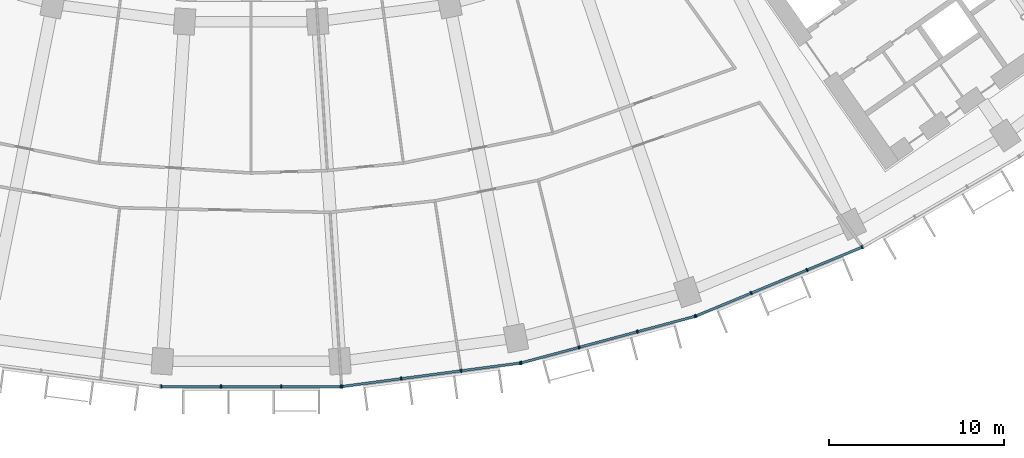
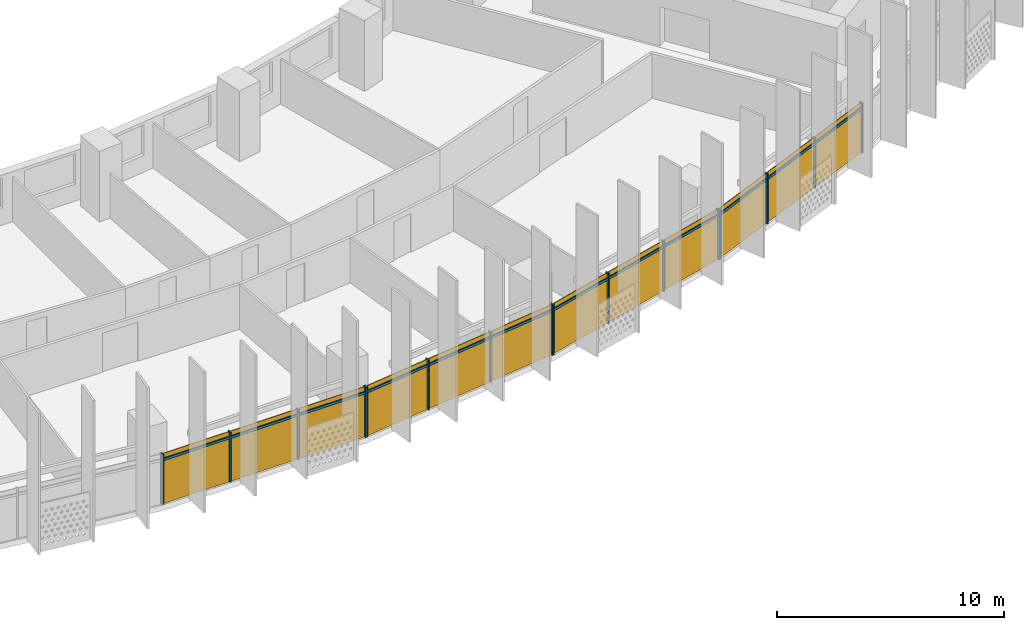
# One storey, part 21 of 30: 28 members, 4 curtain walls.
"""IFC4 building model written with IfcOpenShell, lengths in metres."""

from ifc_helpers import new_model, si_unit, direction, frame, origin, origin_2d, place, context, subcontext, project, spatial, rectangle, extrude, material, material_profile, profile_set, type_object, element, aggregate, save


model = new_model("IFC4")

# Units and contexts
model_context = context("Model", 3, precision=1e-05, world=origin(), true_north=direction((0.0, 1.0)))
body_context = subcontext(model_context, "Body", "Model", "MODEL_VIEW")
ifc_project = project(units=[si_unit("LENGTHUNIT", "METRE"), si_unit("AREAUNIT", "SQUARE_METRE"), si_unit("VOLUMEUNIT", "CUBIC_METRE"), si_unit("PLANEANGLEUNIT", "RADIAN"), si_unit("MASSUNIT", "GRAM", prefix="KILO")], contexts=[model_context])

# Member
ifc_material = material(Name="Aluminium 6063-T6 anodised", Category="aluminium")
ifc_material_profile_1 = material_profile(ifc_material, rectangle(XDim=0.199951171875, YDim=0.070068359375, at=origin_2d()))
ifc_profile_set_1 = profile_set([ifc_material_profile_1], Name="Aluminium 6063-T6 anodised")
member_type_1 = type_object("IfcMemberType", Name="Mullion 70 x 200 aluminium", PredefinedType="MULLION", material=ifc_profile_set_1)
site_placement = place(None, origin())
building_placement = place(site_placement, origin())
storey_placement = place(building_placement, frame((0.0, 0.0, 117.699951171875)))
member_1_placement = place(storey_placement, frame((-5.1513671875, -79.0302734375, 0.0), z_axis=(0.0, 0.0, 1.0), x_axis=(0.0, 1.0, 0.0)))
member_1 = element("IfcMember", 1, at=member_1_placement, type_object=member_type_1, Name="e-cw1-L26-out09/M00", PredefinedType="MULLION", context=body_context, shape_type="SweptSolid", body=[
    extrude(rectangle(XDim=0.199951171875, YDim=0.070068359375, at=origin_2d()), origin(), (0.0, 0.0, 1.0), 2.699951171875),
])

member_2_placement = place(storey_placement, frame((-1.728759765625, -79.0302734375, 0.0), z_axis=(0.0, 0.0, 1.0), x_axis=(0.0, 1.0, 0.0)))
member_2 = element("IfcMember", 2, at=member_2_placement, type_object=member_type_1, Name="e-cw1-L26-out09/M01", PredefinedType="MULLION", context=body_context, shape_type="SweptSolid", body=[
    extrude(rectangle(XDim=0.199951171875, YDim=0.070068359375, at=origin_2d()), origin(), (0.0, 0.0, 1.0), 2.699951171875),
])

member_3_placement = place(storey_placement, frame((1.728759765625, -79.0302734375, 0.0), z_axis=(0.0, 0.0, 1.0), x_axis=(0.0, 1.0, 0.0)))
member_3 = element("IfcMember", 3, at=member_3_placement, type_object=member_type_1, Name="e-cw1-L26-out09/M02", PredefinedType="MULLION", context=body_context, shape_type="SweptSolid", body=[
    extrude(rectangle(XDim=0.199951171875, YDim=0.070068359375, at=origin_2d()), origin(), (0.0, 0.0, 1.0), 2.699951171875),
])

member_4_placement = place(storey_placement, frame((5.1513671875, -79.0302734375, 0.0), z_axis=(0.0, 0.0, 1.0), x_axis=(0.0, 1.0, 0.0)))
member_4 = element("IfcMember", 4, at=member_4_placement, type_object=member_type_1, Name="e-cw1-L26-out09/M03", PredefinedType="MULLION", context=body_context, shape_type="SweptSolid", body=[
    extrude(rectangle(XDim=0.199951171875, YDim=0.070068359375, at=origin_2d()), origin(), (0.0, 0.0, 1.0), 2.699951171875),
])

member_5_placement = place(storey_placement, frame((5.2080078125, -79.026611328125, 0.0), z_axis=(0.0, 0.0, 1.0), x_axis=(-0.13052619222, 0.991444861374, 0.0)))
member_5 = element("IfcMember", 5, at=member_5_placement, type_object=member_type_1, Name="e-cw1-L26-out10/M00", PredefinedType="MULLION", context=body_context, shape_type="SweptSolid", body=[
    extrude(rectangle(XDim=0.199951171875, YDim=0.070068359375, at=origin_2d()), origin(), (0.0, 0.0, 1.0), 2.699951171875),
])

member_6_placement = place(storey_placement, frame((8.6015625, -78.579833984375, 0.0), z_axis=(0.0, 0.0, 1.0), x_axis=(-0.13052619222, 0.991444861374, 0.0)))
member_6 = element("IfcMember", 6, at=member_6_placement, type_object=member_type_1, Name="e-cw1-L26-out10/M01", PredefinedType="MULLION", context=body_context, shape_type="SweptSolid", body=[
    extrude(rectangle(XDim=0.199951171875, YDim=0.070068359375, at=origin_2d()), origin(), (0.0, 0.0, 1.0), 2.699951171875),
])

member_7_placement = place(storey_placement, frame((12.029541015625, -78.12841796875, 0.0), z_axis=(0.0, 0.0, 1.0), x_axis=(-0.13052619222, 0.991444861374, 0.0)))
member_7 = element("IfcMember", 7, at=member_7_placement, type_object=member_type_1, Name="e-cw1-L26-out10/M02", PredefinedType="MULLION", context=body_context, shape_type="SweptSolid", body=[
    extrude(rectangle(XDim=0.199951171875, YDim=0.070068359375, at=origin_2d()), origin(), (0.0, 0.0, 1.0), 2.699951171875),
])

member_8_placement = place(storey_placement, frame((15.4228515625, -77.681640625, 0.0), z_axis=(0.0, 0.0, 1.0), x_axis=(-0.13052619222, 0.991444861374, 0.0)))
member_8 = element("IfcMember", 8, at=member_8_placement, type_object=member_type_1, Name="e-cw1-L26-out10/M03", PredefinedType="MULLION", context=body_context, shape_type="SweptSolid", body=[
    extrude(rectangle(XDim=0.199951171875, YDim=0.070068359375, at=origin_2d()), origin(), (0.0, 0.0, 1.0), 2.699951171875),
])

member_9_placement = place(storey_placement, frame((15.478515625, -77.670654296875, 0.0), z_axis=(0.0, 0.0, 1.0), x_axis=(-0.258819045103, 0.965925826289, 0.0)))
member_9 = element("IfcMember", 9, at=member_9_placement, type_object=member_type_1, Name="e-cw1-L26-out11/M00", PredefinedType="MULLION", context=body_context, shape_type="SweptSolid", body=[
    extrude(rectangle(XDim=0.199951171875, YDim=0.070068359375, at=origin_2d()), origin(), (0.0, 0.0, 1.0), 2.699951171875),
])

member_10_placement = place(storey_placement, frame((18.78466796875, -76.78466796875, 0.0), z_axis=(0.0, 0.0, 1.0), x_axis=(-0.258819045103, 0.965925826289, 0.0)))
member_10 = element("IfcMember", 10, at=member_10_placement, type_object=member_type_1, Name="e-cw1-L26-out11/M01", PredefinedType="MULLION", context=body_context, shape_type="SweptSolid", body=[
    extrude(rectangle(XDim=0.199951171875, YDim=0.070068359375, at=origin_2d()), origin(), (0.0, 0.0, 1.0), 2.699951171875),
])

member_11_placement = place(storey_placement, frame((22.12451171875, -75.889892578125, 0.0), z_axis=(0.0, 0.0, 1.0), x_axis=(-0.258819045103, 0.965925826289, 0.0)))
member_11 = element("IfcMember", 11, at=member_11_placement, type_object=member_type_1, Name="e-cw1-L26-out11/M02", PredefinedType="MULLION", context=body_context, shape_type="SweptSolid", body=[
    extrude(rectangle(XDim=0.199951171875, YDim=0.070068359375, at=origin_2d()), origin(), (0.0, 0.0, 1.0), 2.699951171875),
])

member_12_placement = place(storey_placement, frame((25.430419921875, -75.00390625, 0.0), z_axis=(0.0, 0.0, 1.0), x_axis=(-0.258819045103, 0.965925826289, 0.0)))
member_12 = element("IfcMember", 12, at=member_12_placement, type_object=member_type_1, Name="e-cw1-L26-out11/M03", PredefinedType="MULLION", context=body_context, shape_type="SweptSolid", body=[
    extrude(rectangle(XDim=0.199951171875, YDim=0.070068359375, at=origin_2d()), origin(), (0.0, 0.0, 1.0), 2.699951171875),
])

member_13_placement = place(storey_placement, frame((25.484130859375, -74.98583984375, 0.0), z_axis=(0.0, 0.0, 1.0), x_axis=(-0.382683432365, 0.923879532511, 0.0)))
member_13 = element("IfcMember", 13, at=member_13_placement, type_object=member_type_1, Name="e-cw1-L26-out12/M00", PredefinedType="MULLION", context=body_context, shape_type="SweptSolid", body=[
    extrude(rectangle(XDim=0.199951171875, YDim=0.070068359375, at=origin_2d()), origin(), (0.0, 0.0, 1.0), 2.699951171875),
])

member_14_placement = place(storey_placement, frame((28.646240234375, -73.676025390625, 0.0), z_axis=(0.0, 0.0, 1.0), x_axis=(-0.382683432365, 0.923879532511, 0.0)))
member_14 = element("IfcMember", 14, at=member_14_placement, type_object=member_type_1, Name="e-cw1-L26-out12/M01", PredefinedType="MULLION", context=body_context, shape_type="SweptSolid", body=[
    extrude(rectangle(XDim=0.199951171875, YDim=0.070068359375, at=origin_2d()), origin(), (0.0, 0.0, 1.0), 2.699951171875),
])

member_15_placement = place(storey_placement, frame((31.8408203125, -72.352783203125, 0.0), z_axis=(0.0, 0.0, 1.0), x_axis=(-0.382683432365, 0.923879532511, 0.0)))
member_15 = element("IfcMember", 15, at=member_15_placement, type_object=member_type_1, Name="e-cw1-L26-out12/M02", PredefinedType="MULLION", context=body_context, shape_type="SweptSolid", body=[
    extrude(rectangle(XDim=0.199951171875, YDim=0.070068359375, at=origin_2d()), origin(), (0.0, 0.0, 1.0), 2.699951171875),
])

member_16_placement = place(storey_placement, frame((35.0029296875, -71.04296875, 0.0), z_axis=(0.0, 0.0, 1.0), x_axis=(-0.382683432365, 0.923879532511, 0.0)))
member_16 = element("IfcMember", 16, at=member_16_placement, type_object=member_type_1, Name="e-cw1-L26-out12/M03", PredefinedType="MULLION", context=body_context, shape_type="SweptSolid", body=[
    extrude(rectangle(XDim=0.199951171875, YDim=0.070068359375, at=origin_2d()), origin(), (0.0, 0.0, 1.0), 2.699951171875),
])

ifc_material_profile_2 = material_profile(ifc_material, rectangle(XDim=0.139892578125, YDim=0.1201171875, at=origin_2d()))
ifc_profile_set_2 = profile_set([ifc_material_profile_2], Name="Aluminium 6063-T6 anodised")
member_type_2 = type_object("IfcMemberType", Name="Transom 120 x 140 aluminium", PredefinedType="USERDEFINED", material=ifc_profile_set_2)
member_17_placement = place(storey_placement, frame((-5.116455078125, -79.0302734375, 2.400146484375), z_axis=(1.0, 0.0, 0.0), x_axis=(0.0, 1.0, 0.0)))
member_17 = element("IfcMember", 17, at=member_17_placement, type_object=member_type_2, Name="e-cw1-L26-out09/T00", ObjectType="TRANSOM", PredefinedType="USERDEFINED", context=body_context, shape_type="SweptSolid", body=[
    extrude(rectangle(XDim=0.139892578125, YDim=0.1201171875, at=origin_2d()), origin(), (0.0, 0.0, 1.0), 3.3525390625),
])

member_18_placement = place(storey_placement, frame((-1.69384765625, -79.0302734375, 2.400146484375), z_axis=(1.0, 0.0, 0.0), x_axis=(0.0, 1.0, 0.0)))
member_18 = element("IfcMember", 18, at=member_18_placement, type_object=member_type_2, Name="e-cw1-L26-out09/T01", ObjectType="TRANSOM", PredefinedType="USERDEFINED", context=body_context, shape_type="SweptSolid", body=[
    extrude(rectangle(XDim=0.139892578125, YDim=0.1201171875, at=origin_2d()), origin(), (0.0, 0.0, 1.0), 3.3876953125),
])

member_19_placement = place(storey_placement, frame((1.763916015625, -79.0302734375, 2.400146484375), z_axis=(1.0, 0.0, 0.0), x_axis=(0.0, 1.0, 0.0)))
member_19 = element("IfcMember", 19, at=member_19_placement, type_object=member_type_2, Name="e-cw1-L26-out09/T02", ObjectType="TRANSOM", PredefinedType="USERDEFINED", context=body_context, shape_type="SweptSolid", body=[
    extrude(rectangle(XDim=0.139892578125, YDim=0.1201171875, at=origin_2d()), origin(), (0.0, 0.0, 1.0), 3.3525390625),
])

member_20_placement = place(storey_placement, frame((5.242919921875, -79.02197265625, 2.400146484375), z_axis=(0.991439665896, 0.130565649721, 0.0), x_axis=(-0.130565649721, 0.991439665896, 0.0)))
member_20 = element("IfcMember", 20, at=member_20_placement, type_object=member_type_2, Name="e-cw1-L26-out10/T00", ObjectType="TRANSOM", PredefinedType="USERDEFINED", context=body_context, shape_type="SweptSolid", body=[
    extrude(rectangle(XDim=0.139892578125, YDim=0.1201171875, at=origin_2d()), origin(), (0.0, 0.0, 1.0), 3.352783203125),
])

member_21_placement = place(storey_placement, frame((8.63623046875, -78.5751953125, 2.400146484375), z_axis=(0.991446198807, 0.130516033004, 0.0), x_axis=(-0.130516033004, 0.991446198807, 0.0)))
member_21 = element("IfcMember", 21, at=member_21_placement, type_object=member_type_2, Name="e-cw1-L26-out10/T01", ObjectType="TRANSOM", PredefinedType="USERDEFINED", context=body_context, shape_type="SweptSolid", body=[
    extrude(rectangle(XDim=0.139892578125, YDim=0.1201171875, at=origin_2d()), origin(), (0.0, 0.0, 1.0), 3.3876953125),
])

member_22_placement = place(storey_placement, frame((12.064208984375, -78.123779296875, 2.400146484375), z_axis=(0.991449089759, 0.130494070426, 0.0), x_axis=(-0.130494070426, 0.991449089759, 0.0)))
member_22 = element("IfcMember", 22, at=member_22_placement, type_object=member_type_2, Name="e-cw1-L26-out10/T02", ObjectType="TRANSOM", PredefinedType="USERDEFINED", context=body_context, shape_type="SweptSolid", body=[
    extrude(rectangle(XDim=0.139892578125, YDim=0.1201171875, at=origin_2d()), origin(), (0.0, 0.0, 1.0), 3.3525390625),
])

member_23_placement = place(storey_placement, frame((15.512451171875, -77.66162109375, 2.400146484375), z_axis=(0.965927247937, 0.258813739382, 0.0), x_axis=(-0.258813739382, 0.965927247937, 0.0)))
member_23 = element("IfcMember", 23, at=member_23_placement, type_object=member_type_2, Name="e-cw1-L26-out11/T00", ObjectType="TRANSOM", PredefinedType="USERDEFINED", context=body_context, shape_type="SweptSolid", body=[
    extrude(rectangle(XDim=0.139892578125, YDim=0.1201171875, at=origin_2d()), origin(), (0.0, 0.0, 1.0), 3.3525390625),
])

member_24_placement = place(storey_placement, frame((18.818359375, -76.775634765625, 2.400146484375), z_axis=(0.965931646033, 0.258797324547, 0.0), x_axis=(-0.258797324547, 0.965931646033, 0.0)))
member_24 = element("IfcMember", 24, at=member_24_placement, type_object=member_type_2, Name="e-cw1-L26-out11/T01", ObjectType="TRANSOM", PredefinedType="USERDEFINED", context=body_context, shape_type="SweptSolid", body=[
    extrude(rectangle(XDim=0.139892578125, YDim=0.1201171875, at=origin_2d()), origin(), (0.0, 0.0, 1.0), 3.3876953125),
])

member_25_placement = place(storey_placement, frame((22.158203125, -75.880859375, 2.400146484375), z_axis=(0.965932125453, 0.258795535157, 0.0), x_axis=(-0.258795535157, 0.965932125453, 0.0)))
member_25 = element("IfcMember", 25, at=member_25_placement, type_object=member_type_2, Name="e-cw1-L26-out11/T02", ObjectType="TRANSOM", PredefinedType="USERDEFINED", context=body_context, shape_type="SweptSolid", body=[
    extrude(rectangle(XDim=0.139892578125, YDim=0.1201171875, at=origin_2d()), origin(), (0.0, 0.0, 1.0), 3.352783203125),
])

member_26_placement = place(storey_placement, frame((25.5166015625, -74.972412109375, 2.400146484375), z_axis=(0.923882814237, 0.382675509483, 0.0), x_axis=(-0.382675509483, 0.923882814237, 0.0)))
member_26 = element("IfcMember", 26, at=member_26_placement, type_object=member_type_2, Name="e-cw1-L26-out12/T00", ObjectType="TRANSOM", PredefinedType="USERDEFINED", context=body_context, shape_type="SweptSolid", body=[
    extrude(rectangle(XDim=0.139892578125, YDim=0.1201171875, at=origin_2d()), origin(), (0.0, 0.0, 1.0), 3.3525390625),
])

member_27_placement = place(storey_placement, frame((28.6787109375, -73.66259765625, 2.400146484375), z_axis=(0.923874529423, 0.382695510666, 0.0), x_axis=(-0.382695510666, 0.923874529423, 0.0)))
member_27 = element("IfcMember", 27, at=member_27_placement, type_object=member_type_2, Name="e-cw1-L26-out12/T01", ObjectType="TRANSOM", PredefinedType="USERDEFINED", context=body_context, shape_type="SweptSolid", body=[
    extrude(rectangle(XDim=0.139892578125, YDim=0.1201171875, at=origin_2d()), origin(), (0.0, 0.0, 1.0), 3.387451171875),
])

member_28_placement = place(storey_placement, frame((31.873046875, -72.33935546875, 2.400146484375), z_axis=(0.923882814237, 0.382675509483, 0.0), x_axis=(-0.382675509483, 0.923882814237, 0.0)))
member_28 = element("IfcMember", 28, at=member_28_placement, type_object=member_type_2, Name="e-cw1-L26-out12/T02", ObjectType="TRANSOM", PredefinedType="USERDEFINED", context=body_context, shape_type="SweptSolid", body=[
    extrude(rectangle(XDim=0.139892578125, YDim=0.1201171875, at=origin_2d()), origin(), (0.0, 0.0, 1.0), 3.3525390625),
])

# Site, building, storey
site = spatial("IfcSite", under=ifc_project, at=site_placement, CompositionType="ELEMENT")
building = spatial("IfcBuilding", under=site, at=building_placement, Name="Qamariyya Broadcast Tower", CompositionType="ELEMENT")
storey = spatial("IfcBuildingStorey", under=building, at=storey_placement, Name="L26", CompositionType="ELEMENT", Elevation=117.699951171875)

# Curtain wall
curtain_wall_type = type_object("IfcCurtainWallType", Name="Unitised curtain wall, anodised aluminium", PredefinedType="NOTDEFINED", material=ifc_material)
curtain_wall_1_placement = place(storey_placement, origin())
curtain_wall_1 = element("IfcCurtainWall", 29, at=curtain_wall_1_placement, inside=storey, type_object=curtain_wall_type, Name="e-cw1-L26-out09", PredefinedType="NOTDEFINED", context=body_context, shape_type="SweptSolid", body=[
    extrude(rectangle(XDim=3.352783203125, YDim=0.031982421875, at=origin_2d()), frame((-3.440185546875, -79.0302734375, 0.0), x_axis=(1.0, 0.0, 0.0)), (0.0, 0.0, 1.0), 2.340087890625),
    extrude(rectangle(XDim=3.352783203125, YDim=0.031982421875, at=origin_2d()), frame((-3.440185546875, -79.0302734375, 2.4599609375), x_axis=(1.0, 0.0, 0.0)), (0.0, 0.0, 1.0), 0.239990234375),
    extrude(rectangle(XDim=3.3876953125, YDim=0.031982421875, at=origin_2d()), frame((0.0, -79.0302734375, 0.0), x_axis=(1.0, 0.0, 0.0)), (0.0, 0.0, 1.0), 2.340087890625),
    extrude(rectangle(XDim=3.3876953125, YDim=0.031982421875, at=origin_2d()), frame((0.0, -79.0302734375, 2.4599609375), x_axis=(1.0, 0.0, 0.0)), (0.0, 0.0, 1.0), 0.239990234375),
    extrude(rectangle(XDim=3.352783203125, YDim=0.031982421875, at=origin_2d()), frame((3.440185546875, -79.0302734375, 0.0), x_axis=(1.0, 0.0, 0.0)), (0.0, 0.0, 1.0), 2.340087890625),
    extrude(rectangle(XDim=3.352783203125, YDim=0.031982421875, at=origin_2d()), frame((3.440185546875, -79.0302734375, 2.4599609375), x_axis=(1.0, 0.0, 0.0)), (0.0, 0.0, 1.0), 0.239990234375),
])

aggregate(curtain_wall_1, [member_1, member_2, member_3, member_4, member_17, member_18, member_19])

curtain_wall_2_placement = place(storey_placement, origin())
curtain_wall_2 = element("IfcCurtainWall", 30, at=curtain_wall_2_placement, inside=storey, type_object=curtain_wall_type, Name="e-cw1-L26-out10", PredefinedType="NOTDEFINED", context=body_context, shape_type="SweptSolid", body=[
    extrude(rectangle(XDim=3.3525390625, YDim=0.031982421875, at=origin_2d()), frame((6.90478515625, -78.802978515625, 0.0), x_axis=(0.991447084105, 0.13050930779, 0.0)), (0.0, 0.0, 1.0), 2.340087890625),
    extrude(rectangle(XDim=3.3525390625, YDim=0.031982421875, at=origin_2d()), frame((6.90478515625, -78.802978515625, 2.4599609375), x_axis=(0.991447084105, 0.13050930779, 0.0)), (0.0, 0.0, 1.0), 0.239990234375),
    extrude(rectangle(XDim=3.3876953125, YDim=0.031982421875, at=origin_2d()), frame((10.3154296875, -78.35400390625, 0.0), x_axis=(0.991447084105, 0.13050930779, 0.0)), (0.0, 0.0, 1.0), 2.340087890625),
    extrude(rectangle(XDim=3.3876953125, YDim=0.031982421875, at=origin_2d()), frame((10.3154296875, -78.35400390625, 2.4599609375), x_axis=(0.991447084105, 0.13050930779, 0.0)), (0.0, 0.0, 1.0), 0.239990234375),
    extrude(rectangle(XDim=3.3525390625, YDim=0.031982421875, at=origin_2d()), frame((13.72607421875, -77.9052734375, 0.0), x_axis=(0.991447084105, 0.13050930779, 0.0)), (0.0, 0.0, 1.0), 2.340087890625),
    extrude(rectangle(XDim=3.3525390625, YDim=0.031982421875, at=origin_2d()), frame((13.72607421875, -77.9052734375, 2.4599609375), x_axis=(0.991447084105, 0.13050930779, 0.0)), (0.0, 0.0, 1.0), 0.239990234375),
])

aggregate(curtain_wall_2, [member_5, member_6, member_7, member_8, member_20, member_21, member_22])

curtain_wall_3_placement = place(storey_placement, origin())
curtain_wall_3 = element("IfcCurtainWall", 31, at=curtain_wall_3_placement, inside=storey, type_object=curtain_wall_type, Name="e-cw1-L26-out11", PredefinedType="NOTDEFINED", context=body_context, shape_type="SweptSolid", body=[
    extrude(rectangle(XDim=3.352783203125, YDim=0.031982421875, at=origin_2d()), frame((17.131591796875, -77.227783203125, 0.0), x_axis=(0.965923677743, 0.258827063454, 0.0)), (0.0, 0.0, 1.0), 2.340087890625),
    extrude(rectangle(XDim=3.352783203125, YDim=0.031982421875, at=origin_2d()), frame((17.131591796875, -77.227783203125, 2.4599609375), x_axis=(0.965923677743, 0.258827063454, 0.0)), (0.0, 0.0, 1.0), 0.239990234375),
    extrude(rectangle(XDim=3.3876953125, YDim=0.031982421875, at=origin_2d()), frame((20.45458984375, -76.33740234375, 0.0), x_axis=(0.965923677743, 0.258827063454, 0.0)), (0.0, 0.0, 1.0), 2.340087890625),
    extrude(rectangle(XDim=3.3876953125, YDim=0.031982421875, at=origin_2d()), frame((20.45458984375, -76.33740234375, 2.4599609375), x_axis=(0.965923677743, 0.258827063454, 0.0)), (0.0, 0.0, 1.0), 0.239990234375),
    extrude(rectangle(XDim=3.352783203125, YDim=0.031982421875, at=origin_2d()), frame((23.777587890625, -75.44677734375, 0.0), x_axis=(0.965923677743, 0.258827063454, 0.0)), (0.0, 0.0, 1.0), 2.340087890625),
    extrude(rectangle(XDim=3.352783203125, YDim=0.031982421875, at=origin_2d()), frame((23.777587890625, -75.44677734375, 2.4599609375), x_axis=(0.965923677743, 0.258827063454, 0.0)), (0.0, 0.0, 1.0), 0.239990234375),
])

aggregate(curtain_wall_3, [member_9, member_10, member_11, member_12, member_23, member_24, member_25])

curtain_wall_4_placement = place(storey_placement, origin())
curtain_wall_4 = element("IfcCurtainWall", 32, at=curtain_wall_4_placement, inside=storey, type_object=curtain_wall_type, Name="e-cw1-L26-out12", PredefinedType="NOTDEFINED", context=body_context, shape_type="SweptSolid", body=[
    extrude(rectangle(XDim=3.3525390625, YDim=0.031982421875, at=origin_2d()), frame((27.065185546875, -74.3310546875, 0.0), x_axis=(0.923872250857, 0.382701011361, 0.0)), (0.0, 0.0, 1.0), 2.340087890625),
    extrude(rectangle(XDim=3.3525390625, YDim=0.031982421875, at=origin_2d()), frame((27.065185546875, -74.3310546875, 2.4599609375), x_axis=(0.923872250857, 0.382701011361, 0.0)), (0.0, 0.0, 1.0), 0.239990234375),
    extrude(rectangle(XDim=3.3876953125, YDim=0.031982421875, at=origin_2d()), frame((30.24365234375, -73.014404296875, 0.0), x_axis=(0.923872250857, 0.382701011361, 0.0)), (0.0, 0.0, 1.0), 2.340087890625),
    extrude(rectangle(XDim=3.3876953125, YDim=0.031982421875, at=origin_2d()), frame((30.24365234375, -73.014404296875, 2.4599609375), x_axis=(0.923872250857, 0.382701011361, 0.0)), (0.0, 0.0, 1.0), 0.239990234375),
    extrude(rectangle(XDim=3.3525390625, YDim=0.031982421875, at=origin_2d()), frame((33.421875, -71.69775390625, 0.0), x_axis=(0.923872250857, 0.382701011361, 0.0)), (0.0, 0.0, 1.0), 2.340087890625),
    extrude(rectangle(XDim=3.3525390625, YDim=0.031982421875, at=origin_2d()), frame((33.421875, -71.69775390625, 2.4599609375), x_axis=(0.923872250857, 0.382701011361, 0.0)), (0.0, 0.0, 1.0), 0.239990234375),
])

aggregate(curtain_wall_4, [member_13, member_14, member_15, member_16, member_26, member_27, member_28])

save(model, "model.ifc")
